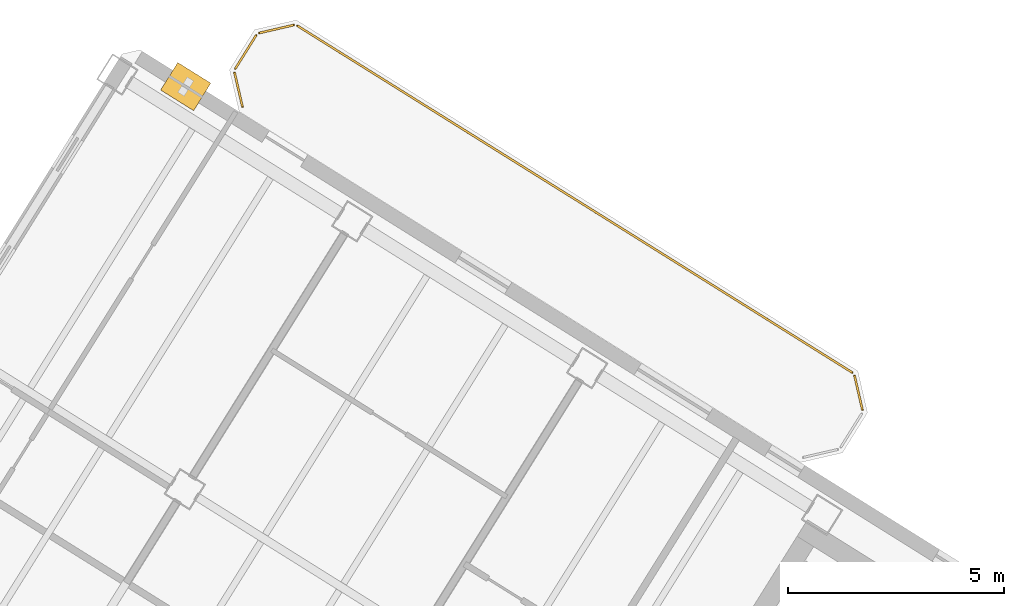
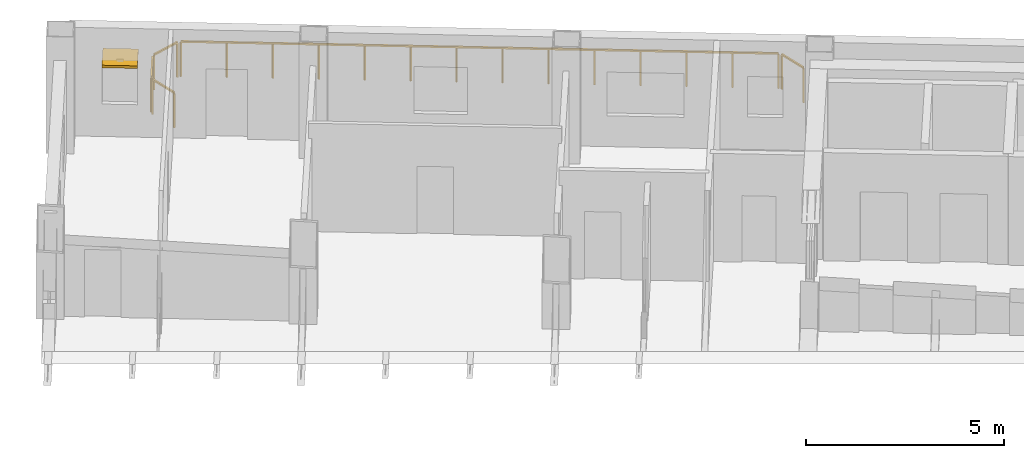
# One storey, part 15 of 15: 5 railings, 1 shading device.
"""IFC4 building model written with IfcOpenShell, lengths in metres."""

from ifc_helpers import new_model, si_unit, direction, frame, origin, origin_2d, place, context, subcontext, project, spatial, rectangle, extrude, source, transform, mapped, material, layer, layer_set, type_object, element, save


model = new_model("IFC4")

# Units and contexts
model_context = context("Model", 3, precision=1e-05, world=origin(), true_north=direction((0.0, 1.0)))
body_context = subcontext(model_context, "Body", "Model", "MODEL_VIEW")
ifc_project = project(units=[si_unit("LENGTHUNIT", "METRE"), si_unit("AREAUNIT", "SQUARE_METRE"), si_unit("VOLUMEUNIT", "CUBIC_METRE"), si_unit("PLANEANGLEUNIT", "RADIAN"), si_unit("MASSUNIT", "GRAM", prefix="KILO")], contexts=[model_context])

# Site, building, storey
site_placement = place(None, origin())
site = spatial("IfcSite", under=ifc_project, at=site_placement, CompositionType="ELEMENT")
building_placement = place(site_placement, origin())
building = spatial("IfcBuilding", under=site, at=building_placement, Name="Tlacorven Tower", CompositionType="ELEMENT")
storey_placement = place(building_placement, frame((0.0, 0.0, 266.39990234375)))
storey = spatial("IfcBuildingStorey", under=building, at=storey_placement, Name="L67", CompositionType="ELEMENT", Elevation=266.39990234375)

# Railings
ifc_material_1 = material(Name="Aluminium and painted steel balustrade", Category="steel")
railing_type = type_object("IfcRailingType", Name="RL-BAL-1100", PredefinedType="BALUSTRADE", material=ifc_material_1)
shared_shape_1 = source(origin(), body_context, "Body", "SweptSolid", [
    extrude(rectangle(XDim=0.048095703125, YDim=0.048095703125, at=origin_2d()), frame((0.0, 0.0, 1.076171875), z_axis=(0.225058334816, -0.974345290916, 0.0), x_axis=(0.974345290916, 0.225058334816, 0.0)), (0.0, 0.0, 1.0), 0.80712890625),
    extrude(rectangle(XDim=0.0419921875, YDim=0.0419921875, at=origin_2d()), origin(), (0.0, 0.0, 1.0), 1.052001953125),
    extrude(rectangle(XDim=0.0419921875, YDim=0.0419921875, at=origin_2d()), frame((0.181640625, -0.786376953125, 0.0)), (0.0, 0.0, 1.0), 1.052001953125),
])
railing_1_placement = place(storey_placement, frame((30.6796875, 34.466064453125, 0.0)))
element("IfcRailing", 1, at=railing_1_placement, inside=storey, type_object=railing_type, Name="BAL-L67-W-IN Guard Railing 1", PredefinedType="BALUSTRADE", context=body_context, shape_type="MappedRepresentation", body=[
    mapped(shared_shape_1, transform((0.0, 0.0, 0.0), scale=1.0)),
])
shared_shape_2 = source(origin(), body_context, "Body", "SweptSolid", [
    extrude(rectangle(XDim=0.048095703125, YDim=0.048095703125, at=origin_2d()), frame((0.0, 0.0, 1.076171875), z_axis=(-0.225058334816, 0.974345290916, 0.0), x_axis=(-0.974345290916, -0.225058334816, 0.0)), (0.0, 0.0, 1.0), 0.80712890625),
    extrude(rectangle(XDim=0.0419921875, YDim=0.0419921875, at=origin_2d()), origin(), (0.0, 0.0, 1.0), 1.052001953125),
    extrude(rectangle(XDim=0.0419921875, YDim=0.0419921875, at=origin_2d()), frame((-0.181640625, 0.786376953125, 0.0)), (0.0, 0.0, 1.0), 1.052001953125),
])
railing_2_placement = place(storey_placement, frame((16.5361328125, 40.68115234375, 0.0)))
element("IfcRailing", 2, at=railing_2_placement, inside=storey, type_object=railing_type, Name="BAL-L67-W-IN Guard Railing 4", PredefinedType="BALUSTRADE", context=body_context, shape_type="MappedRepresentation", body=[
    mapped(shared_shape_2, transform((0.0, 0.0, 0.0), scale=1.0)),
])
shared_shape_3 = source(origin(), body_context, "Body", "SweptSolid", [
    extrude(rectangle(XDim=0.048095703125, YDim=0.048095703125, at=origin_2d()), frame((0.0, 0.0, 1.076171875), z_axis=(0.52987865805, 0.848073468364, 0.0), x_axis=(-0.848073468364, 0.52987865805, 0.0)), (0.0, 0.0, 1.0), 0.912353515625),
    extrude(rectangle(XDim=0.0419921875, YDim=0.0419921875, at=origin_2d()), origin(), (0.0, 0.0, 1.0), 1.052001953125),
    extrude(rectangle(XDim=0.0419921875, YDim=0.0419921875, at=origin_2d()), frame((0.4833984375, 0.773681640625, 0.0)), (0.0, 0.0, 1.0), 1.052001953125),
])
railing_3_placement = place(storey_placement, frame((16.369873046875, 41.55859375, 0.0)))
element("IfcRailing", 3, at=railing_3_placement, inside=storey, type_object=railing_type, Name="BAL-L67-W-IN Guard Railing 5", PredefinedType="BALUSTRADE", context=body_context, shape_type="MappedRepresentation", body=[
    mapped(shared_shape_3, transform((0.0, 0.0, 0.0), scale=1.0)),
])
shared_shape_4 = source(origin(), body_context, "Body", "SweptSolid", [
    extrude(rectangle(XDim=0.048095703125, YDim=0.048095703125, at=origin_2d()), frame((0.0, 0.0, 1.076171875), z_axis=(0.974411586182, 0.224771129628, 0.0), x_axis=(-0.224771129628, 0.974411586182, 0.0)), (0.0, 0.0, 1.0), 0.80712890625),
    extrude(rectangle(XDim=0.0419921875, YDim=0.0419921875, at=origin_2d()), origin(), (0.0, 0.0, 1.0), 1.052001953125),
    extrude(rectangle(XDim=0.0419921875, YDim=0.0419921875, at=origin_2d()), frame((0.786376953125, 0.181396484375, 0.0)), (0.0, 0.0, 1.0), 1.052001953125),
])
railing_4_placement = place(storey_placement, frame((16.928466796875, 42.385986328125, 0.0)))
element("IfcRailing", 4, at=railing_4_placement, inside=storey, type_object=railing_type, Name="BAL-L67-W-IN Guard Railing 6", PredefinedType="BALUSTRADE", context=body_context, shape_type="MappedRepresentation", body=[
    mapped(shared_shape_4, transform((0.0, 0.0, 0.0), scale=1.0)),
])
shared_shape_5 = source(origin(), body_context, "Body", "SweptSolid", [
    extrude(rectangle(XDim=0.048095703125, YDim=0.048095703125, at=origin_2d()), frame((0.0, 0.0, 1.076171875), z_axis=(0.848044572804, -0.529924902733, 0.0), x_axis=(0.529924902733, 0.848044572804, 0.0)), (0.0, 0.0, 1.0), 15.1171875),
    extrude(rectangle(XDim=0.0419921875, YDim=0.0419921875, at=origin_2d()), origin(), (0.0, 0.0, 1.0), 1.052001953125),
    extrude(rectangle(XDim=0.0419921875, YDim=0.0419921875, at=origin_2d()), frame((0.986083984375, -0.6162109375, 0.0)), (0.0, 0.0, 1.0), 1.052001953125),
    extrude(rectangle(XDim=0.0419921875, YDim=0.0419921875, at=origin_2d()), frame((1.972412109375, -1.232421875, 0.0)), (0.0, 0.0, 1.0), 1.052001953125),
    extrude(rectangle(XDim=0.0419921875, YDim=0.0419921875, at=origin_2d()), frame((2.95849609375, -1.8486328125, 0.0)), (0.0, 0.0, 1.0), 1.052001953125),
    extrude(rectangle(XDim=0.0419921875, YDim=0.0419921875, at=origin_2d()), frame((3.944580078125, -2.46484375, 0.0)), (0.0, 0.0, 1.0), 1.052001953125),
    extrude(rectangle(XDim=0.0419921875, YDim=0.0419921875, at=origin_2d()), frame((4.930908203125, -3.0810546875, 0.0)), (0.0, 0.0, 1.0), 1.052001953125),
    extrude(rectangle(XDim=0.0419921875, YDim=0.0419921875, at=origin_2d()), frame((5.9169921875, -3.697265625, 0.0)), (0.0, 0.0, 1.0), 1.052001953125),
    extrude(rectangle(XDim=0.0419921875, YDim=0.0419921875, at=origin_2d()), frame((6.903076171875, -4.313720703125, 0.0)), (0.0, 0.0, 1.0), 1.052001953125),
    extrude(rectangle(XDim=0.0419921875, YDim=0.0419921875, at=origin_2d()), frame((7.88916015625, -4.929931640625, 0.0)), (0.0, 0.0, 1.0), 1.052001953125),
    extrude(rectangle(XDim=0.0419921875, YDim=0.0419921875, at=origin_2d()), frame((8.87548828125, -5.546142578125, 0.0)), (0.0, 0.0, 1.0), 1.052001953125),
    extrude(rectangle(XDim=0.0419921875, YDim=0.0419921875, at=origin_2d()), frame((9.861572265625, -6.162353515625, 0.0)), (0.0, 0.0, 1.0), 1.052001953125),
    extrude(rectangle(XDim=0.0419921875, YDim=0.0419921875, at=origin_2d()), frame((10.84765625, -6.778564453125, 0.0)), (0.0, 0.0, 1.0), 1.052001953125),
    extrude(rectangle(XDim=0.0419921875, YDim=0.0419921875, at=origin_2d()), frame((11.833984375, -7.394775390625, 0.0)), (0.0, 0.0, 1.0), 1.052001953125),
    extrude(rectangle(XDim=0.0419921875, YDim=0.0419921875, at=origin_2d()), frame((12.820068359375, -8.010986328125, 0.0)), (0.0, 0.0, 1.0), 1.052001953125),
])
railing_5_placement = place(storey_placement, frame((17.805908203125, 42.55224609375, 0.0)))
element("IfcRailing", 5, at=railing_5_placement, inside=storey, type_object=railing_type, Name="BAL-L67-W-IN Guard Railing 7", PredefinedType="BALUSTRADE", context=body_context, shape_type="MappedRepresentation", body=[
    mapped(shared_shape_5, transform((0.0, 0.0, 0.0), scale=1.0)),
])

# Shading device
ifc_material_2 = material(Name="Anodised bronze aluminium sunshade", Category="aluminium")
ifc_layer = layer(ifc_material_2, 0.080078125)
ifc_layer_set = layer_set([ifc_layer], Name="Anodised bronze aluminium sunshade")
shading_device_type = type_object("IfcShadingDeviceType", Name="SH-SUN-BRZ", PredefinedType="AWNING", material=ifc_layer_set)
shared_shape_6 = source(origin(), body_context, "Body", "SweptSolid", [
    extrude(rectangle(XDim=0.89990234375, YDim=0.75, at=origin_2d()), origin(), (0.0, 0.0, 1.0), 0.080078125),
])
shading_device_placement = place(storey_placement, frame((15.224853515625, 41.146484375, 2.27001953125), z_axis=(0.0, 0.0, 1.0), x_axis=(0.84804812172, -0.529919223323, 0.0)))
element("IfcShadingDevice", 6, at=shading_device_placement, inside=storey, type_object=shading_device_type, Name="L67 Solar Brise-Soleil Sunshade L67-04.1", PredefinedType="AWNING", context=body_context, shape_type="MappedRepresentation", body=[
    mapped(shared_shape_6, transform((0.0, 0.0, 0.0), scale=1.0)),
])

save(model, "model.ifc")
